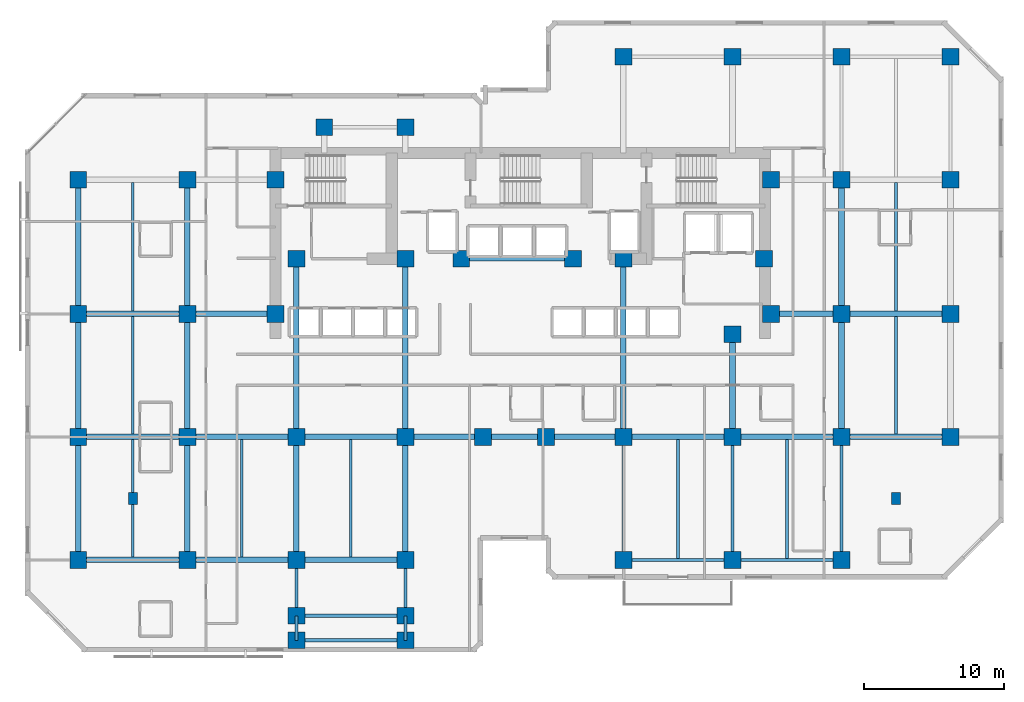
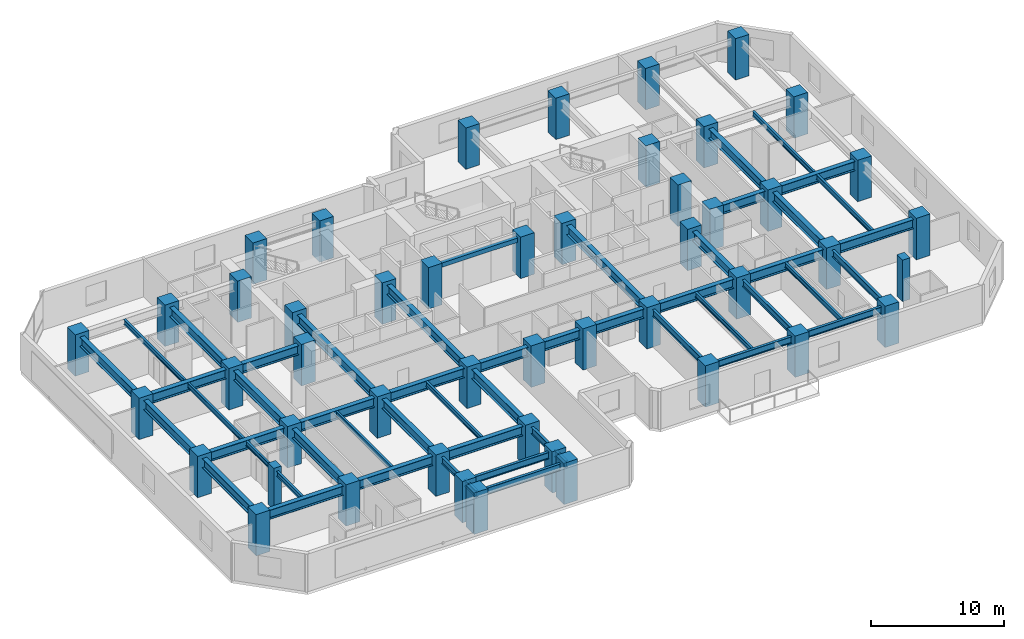
# One storey, part 1 of 11: 51 beams, 48 columns.
"""IFC4 building model written with IfcOpenShell, lengths in metres."""

from ifc_helpers import new_model, si_unit, direction, frame, origin, origin_2d, place, context, subcontext, project, spatial, rectangle, i_section, extrude, material, material_profile, profile_set, type_object, element, save


model = new_model("IFC4")

# Units and contexts
model_context = context("Model", 3, precision=1e-05, world=origin(), true_north=direction((0.0, 1.0)))
body_context = subcontext(model_context, "Body", "Model", "MODEL_VIEW")
ifc_project = project(units=[si_unit("LENGTHUNIT", "METRE"), si_unit("AREAUNIT", "SQUARE_METRE"), si_unit("VOLUMEUNIT", "CUBIC_METRE"), si_unit("PLANEANGLEUNIT", "RADIAN"), si_unit("MASSUNIT", "GRAM", prefix="KILO")], contexts=[model_context])

# Site, building, storey
site_placement = place(None, origin())
site = spatial("IfcSite", under=ifc_project, at=site_placement, CompositionType="ELEMENT")
building_placement = place(site_placement, origin())
building = spatial("IfcBuilding", under=site, at=building_placement, Name="Kestravale Grand Hotel", CompositionType="ELEMENT")
storey_placement = place(building_placement, frame((0.0, 0.0, 126.0)))
storey = spatial("IfcBuildingStorey", under=building, at=storey_placement, Name="L31", CompositionType="ELEMENT", Elevation=126.0)

# Columns
ifc_material_1 = material(Name="Precast concrete f'c 45 MPa", Category="concrete")
ifc_material_profile_1 = material_profile(ifc_material_1, rectangle(XDim=0.64990234375, YDim=0.85009765625, at=origin_2d()))
ifc_profile_set_1 = profile_set([ifc_material_profile_1], Name="Precast concrete f'c 45 MPa")
column_type_1 = type_object("IfcColumnType", Name="C-Z1-PIL850", PredefinedType="PILASTER", material=ifc_profile_set_1)
for number, where, z_axis, x_axis, name in (
    (1, (11.699951171875, 15.60009765625, 0.0), (0.0, 0.0, 1.0), (1.0, 0.0, 0.0), "L31 Art Deco fluted pilaster P1"),
    (2, (66.300048828125, 15.60009765625, 0.0), (0.0, 0.0, 1.0), (1.0, 0.0, 0.0), "L31 Art Deco fluted pilaster P2"),
):
    element("IfcColumn", number, at=place(storey_placement, frame(where, z_axis=z_axis, x_axis=x_axis)), inside=storey, type_object=column_type_1, Name=name, PredefinedType="PILASTER", context=body_context, shape_type="SweptSolid", body=[
        extrude(rectangle(XDim=0.64990234375, YDim=0.85009765625, at=origin_2d()), origin(), (0.0, 0.0, 1.0), 3.800048828125),
    ])
ifc_material_2 = material(Name="Concrete f'c 60 MPa", Category="concrete")
ifc_material_profile_2 = material_profile(ifc_material_2, rectangle(XDim=1.199951171875, YDim=1.199951171875, at=origin_2d()))
ifc_profile_set_2 = profile_set([ifc_material_profile_2], Name="Concrete f'c 60 MPa")
column_type_2 = type_object("IfcColumnType", Name="C-Z2-1200", PredefinedType="COLUMN", material=ifc_profile_set_2)
for number, where, z_axis, x_axis, name in (
    (3, (7.800048828125, 11.199951171875, 0.0), (0.0, 0.0, 1.0), (1.0, 0.0, 0.0), "L31 column 2-C"),
    (4, (7.800048828125, 20.0, 0.0), (0.0, 0.0, 1.0), (1.0, 0.0, 0.0), "L31 column 2-D"),
    (5, (7.800048828125, 28.800048828125, 0.0), (0.0, 0.0, 1.0), (1.0, 0.0, 0.0), "L31 column 2-E"),
    (6, (7.800048828125, 38.39990234375, 0.0), (0.0, 0.0, 1.0), (1.0, 0.0, 0.0), "L31 column 2-F"),
    (7, (15.60009765625, 11.199951171875, 0.0), (0.0, 0.0, 1.0), (1.0, 0.0, 0.0), "L31 column 3-C"),
    (8, (15.60009765625, 20.0, 0.0), (0.0, 0.0, 1.0), (1.0, 0.0, 0.0), "L31 column 3-D"),
    (9, (15.60009765625, 28.800048828125, 0.0), (0.0, 0.0, 1.0), (1.0, 0.0, 0.0), "L31 column 3-E"),
    (10, (15.60009765625, 38.39990234375, 0.0), (0.0, 0.0, 1.0), (1.0, 0.0, 0.0), "L31 column 3-F"),
    (11, (23.39990234375, 11.199951171875, 0.0), (0.0, 0.0, 1.0), (1.0, 0.0, 0.0), "L31 column 4-C"),
    (12, (23.39990234375, 20.0, 0.0), (0.0, 0.0, 1.0), (1.0, 0.0, 0.0), "L31 column 4-D"),
    (13, (31.199951171875, 11.199951171875, 0.0), (0.0, 0.0, 1.0), (1.0, 0.0, 0.0), "L31 column 5-C"),
    (14, (31.199951171875, 20.0, 0.0), (0.0, 0.0, 1.0), (1.0, 0.0, 0.0), "L31 column 5-D"),
    (15, (36.75, 20.0, 0.0), (0.0, 0.0, 1.0), (1.0, 0.0, 0.0), "L31 column 6-D"),
    (16, (41.25, 20.0, 0.0), (0.0, 0.0, 1.0), (1.0, 0.0, 0.0), "L31 column 7-D"),
    (17, (46.800048828125, 11.199951171875, 0.0), (0.0, 0.0, 1.0), (1.0, 0.0, 0.0), "L31 column 8-C"),
    (18, (46.800048828125, 20.0, 0.0), (0.0, 0.0, 1.0), (1.0, 0.0, 0.0), "L31 column 8-D"),
    (19, (46.800048828125, 47.199951171875, 0.0), (0.0, 0.0, 1.0), (1.0, 0.0, 0.0), "L31 column 8-G"),
    (20, (54.60009765625, 11.199951171875, 0.0), (0.0, 0.0, 1.0), (1.0, 0.0, 0.0), "L31 column 9-C"),
    (21, (54.60009765625, 20.0, 0.0), (0.0, 0.0, 1.0), (1.0, 0.0, 0.0), "L31 column 9-D"),
    (22, (54.60009765625, 47.199951171875, 0.0), (0.0, 0.0, 1.0), (1.0, 0.0, 0.0), "L31 column 9-G"),
    (23, (62.39990234375, 11.199951171875, 0.0), (0.0, 0.0, 1.0), (1.0, 0.0, 0.0), "L31 column 10-C"),
    (24, (62.39990234375, 20.0, 0.0), (0.0, 0.0, 1.0), (1.0, 0.0, 0.0), "L31 column 10-D"),
    (25, (62.39990234375, 28.800048828125, 0.0), (0.0, 0.0, 1.0), (1.0, 0.0, 0.0), "L31 column 10-E"),
    (26, (62.39990234375, 38.39990234375, 0.0), (0.0, 0.0, 1.0), (1.0, 0.0, 0.0), "L31 column 10-F"),
    (27, (62.39990234375, 47.199951171875, 0.0), (0.0, 0.0, 1.0), (1.0, 0.0, 0.0), "L31 column 10-G"),
    (28, (70.199951171875, 20.0, 0.0), (0.0, 0.0, 1.0), (1.0, 0.0, 0.0), "L31 column 11-D"),
    (29, (70.199951171875, 28.800048828125, 0.0), (0.0, 0.0, 1.0), (1.0, 0.0, 0.0), "L31 column 11-E"),
    (30, (70.199951171875, 38.39990234375, 0.0), (0.0, 0.0, 1.0), (1.0, 0.0, 0.0), "L31 column 11-F"),
    (31, (70.199951171875, 47.199951171875, 0.0), (0.0, 0.0, 1.0), (1.0, 0.0, 0.0), "L31 column 11-G"),
    (32, (21.89990234375, 28.800048828125, 0.0), (0.0, 0.0, 1.0), (1.0, 0.0, 0.0), "L31 column CW-E"),
    (33, (21.89990234375, 38.39990234375, 0.0), (0.0, 0.0, 1.0), (1.0, 0.0, 0.0), "L31 column CW-F"),
    (34, (57.35009765625, 28.800048828125, 0.0), (0.0, 0.0, 1.0), (1.0, 0.0, 0.0), "L31 column CE-E"),
    (35, (57.35009765625, 38.39990234375, 0.0), (0.0, 0.0, 1.0), (1.0, 0.0, 0.0), "L31 column CE-F"),
    (36, (23.39990234375, 32.75, 0.0), (0.0, 0.0, 1.0), (1.0, 0.0, 0.0), "L31 column 4-CS"),
    (37, (31.199951171875, 32.75, 0.0), (0.0, 0.0, 1.0), (1.0, 0.0, 0.0), "L31 column 5-CS"),
    (38, (35.199951171875, 32.75, 0.0), (0.0, 0.0, 1.0), (1.0, 0.0, 0.0), "L31 column 6C-CS"),
    (39, (43.199951171875, 32.75, 0.0), (0.0, 0.0, 1.0), (1.0, 0.0, 0.0), "L31 column 7C-CS"),
    (40, (46.800048828125, 32.75, 0.0), (0.0, 0.0, 1.0), (1.0, 0.0, 0.0), "L31 column 8-CS"),
    (41, (54.60009765625, 27.35009765625, 0.0), (0.0, 0.0, 1.0), (1.0, 0.0, 0.0), "L31 column 9-CS"),
    (42, (56.85009765625, 32.75, 0.0), (0.0, 0.0, 1.0), (1.0, 0.0, 0.0), "L31 column 9C-CS"),
    (43, (23.39990234375, 7.199951171875, 0.0), (0.0, 0.0, 1.0), (1.0, 0.0, 0.0), "L31 column 4-BS"),
    (44, (31.199951171875, 7.199951171875, 0.0), (0.0, 0.0, 1.0), (1.0, 0.0, 0.0), "L31 column 5-BS"),
    (45, (25.39990234375, 42.14990234375, 0.0), (0.0, 0.0, 1.0), (1.0, 0.0, 0.0), "L31 column 4-FN"),
    (46, (31.199951171875, 42.14990234375, 0.0), (0.0, 0.0, 1.0), (1.0, 0.0, 0.0), "L31 column 5-FN"),
    (47, (23.39990234375, 5.449951171875, 0.0), (0.0, 0.0, 1.0), (1.0, 0.0, 0.0), "L31 column 4-B1S"),
    (48, (31.199951171875, 5.449951171875, 0.0), (0.0, 0.0, 1.0), (1.0, 0.0, 0.0), "L31 column 5-B1S"),
):
    element("IfcColumn", number, at=place(storey_placement, frame(where, z_axis=z_axis, x_axis=x_axis)), inside=storey, type_object=column_type_2, Name=name, PredefinedType="COLUMN", context=body_context, shape_type="SweptSolid", body=[
        extrude(rectangle(XDim=1.199951171875, YDim=1.199951171875, at=origin_2d()), origin(), (0.0, 0.0, 1.0), 3.800048828125),
    ])

# Beams
ifc_material_3 = material(Name="Steel ASTM A992 Grade 50", Category="steel")
ifc_material_profile_3 = material_profile(ifc_material_3, i_section(OverallWidth=0.19091796875, OverallDepth=0.45703125, WebThickness=0.009033203125, FlangeThickness=0.014404296875, FilletRadius=0.015380859375, at=origin_2d()))
ifc_profile_set_3 = profile_set([ifc_material_profile_3], Name="Steel ASTM A992 Grade 50")
beam_type_1 = type_object("IfcBeamType", Name="B-FLR-JST18", PredefinedType="JOIST", material=ifc_profile_set_3)
for number, where, z_axis, x_axis, name in (
    (49, (11.699951171875, 11.400390625, 3.2314453125), (0.0, 1.0, 0.0), (-1.0, 0.0, 0.0), "L31 floor joist 2-3/C-D #1"),
    (50, (11.699951171875, 20.200439453125, 3.2314453125), (0.0, 1.0, 0.0), (-1.0, 0.0, 0.0), "L31 floor joist 2-3/D-E #1"),
):
    element("IfcBeam", number, at=place(storey_placement, frame(where, z_axis=z_axis, x_axis=x_axis)), inside=storey, type_object=beam_type_1, Name=name, PredefinedType="JOIST", context=body_context, shape_type="SweptSolid", body=[
        extrude(i_section(OverallWidth=0.19091796875, OverallDepth=0.45703125, WebThickness=0.009033203125, FlangeThickness=0.014404296875, FilletRadius=0.015380859375, at=origin_2d()), origin(), (0.0, 0.0, 1.0), 8.399169921875),
    ])
beam_1_placement = place(storey_placement, frame((11.699951171875, 29.00048828125, 3.2314453125), z_axis=(0.0, 1.0, 0.0), x_axis=(-1.0, 0.0, 0.0)))
element("IfcBeam", 51, at=beam_1_placement, inside=storey, type_object=beam_type_1, Name="L31 floor joist 2-3/E-F #1", PredefinedType="JOIST", context=body_context, shape_type="SweptSolid", body=[
    extrude(i_section(OverallWidth=0.19091796875, OverallDepth=0.45703125, WebThickness=0.009033203125, FlangeThickness=0.014404296875, FilletRadius=0.015380859375, at=origin_2d()), origin(), (0.0, 0.0, 1.0), 9.198974609375),
])
for number, where, z_axis, x_axis, name in (
    (52, (19.5, 11.400390625, 3.2314453125), (0.0, 1.0, 0.0), (-1.0, 0.0, 0.0), "L31 floor joist 3-4/C-D #1"),
    (53, (27.300048828125, 11.400390625, 3.2314453125), (0.0, 1.0, 0.0), (-1.0, 0.0, 0.0), "L31 floor joist 4-5/C-D #1"),
):
    element("IfcBeam", number, at=place(storey_placement, frame(where, z_axis=z_axis, x_axis=x_axis)), inside=storey, type_object=beam_type_1, Name=name, PredefinedType="JOIST", context=body_context, shape_type="SweptSolid", body=[
        extrude(i_section(OverallWidth=0.19091796875, OverallDepth=0.45703125, WebThickness=0.009033203125, FlangeThickness=0.014404296875, FilletRadius=0.015380859375, at=origin_2d()), origin(), (0.0, 0.0, 1.0), 8.399169921875),
    ])
for number, where, z_axis, x_axis, name in (
    (54, (50.699951171875, 11.314453125, 3.2314453125), (0.0, 1.0, 0.0), (-1.0, 0.0, 0.0), "L31 floor joist 8-9/C-D #1"),
    (55, (58.5, 11.314453125, 3.2314453125), (0.0, 1.0, 0.0), (-1.0, 0.0, 0.0), "L31 floor joist 9-10/C-D #1"),
):
    element("IfcBeam", number, at=place(storey_placement, frame(where, z_axis=z_axis, x_axis=x_axis)), inside=storey, type_object=beam_type_1, Name=name, PredefinedType="JOIST", context=body_context, shape_type="SweptSolid", body=[
        extrude(i_section(OverallWidth=0.19091796875, OverallDepth=0.45703125, WebThickness=0.009033203125, FlangeThickness=0.014404296875, FilletRadius=0.015380859375, at=origin_2d()), origin(), (0.0, 0.0, 1.0), 8.485107421875),
    ])
beam_2_placement = place(storey_placement, frame((66.300048828125, 20.200439453125, 3.2314453125), z_axis=(0.0, 1.0, 0.0), x_axis=(-1.0, 0.0, 0.0)))
element("IfcBeam", 56, at=beam_2_placement, inside=storey, type_object=beam_type_1, Name="L31 floor joist 10-11/D-E #1", PredefinedType="JOIST", context=body_context, shape_type="SweptSolid", body=[
    extrude(i_section(OverallWidth=0.19091796875, OverallDepth=0.45703125, WebThickness=0.009033203125, FlangeThickness=0.014404296875, FilletRadius=0.015380859375, at=origin_2d()), origin(), (0.0, 0.0, 1.0), 8.399169921875),
])
beam_3_placement = place(storey_placement, frame((66.300048828125, 29.00048828125, 3.2314453125), z_axis=(0.0, 1.0, 0.0), x_axis=(-1.0, 0.0, 0.0)))
element("IfcBeam", 57, at=beam_3_placement, inside=storey, type_object=beam_type_1, Name="L31 floor joist 10-11/E-F #1", PredefinedType="JOIST", context=body_context, shape_type="SweptSolid", body=[
    extrude(i_section(OverallWidth=0.19091796875, OverallDepth=0.45703125, WebThickness=0.009033203125, FlangeThickness=0.014404296875, FilletRadius=0.015380859375, at=origin_2d()), origin(), (0.0, 0.0, 1.0), 9.198974609375),
])
ifc_material_4 = material(Name="Concrete f'c 45 MPa", Category="concrete")
ifc_material_profile_4 = material_profile(ifc_material_4, rectangle(XDim=0.300048828125, YDim=0.39990234375, at=origin_2d()))
ifc_profile_set_4 = profile_set([ifc_material_profile_4], Name="Concrete f'c 45 MPa")
beam_type_2 = type_object("IfcBeamType", Name="B-FLR-LNT400", PredefinedType="LINTEL", material=ifc_profile_set_4)
beam_4_placement = place(storey_placement, frame((35.199951171875, 32.75, 3.260009765625), z_axis=(1.0, 0.0, 0.0), x_axis=(0.0, 1.0, 0.0)))
element("IfcBeam", 58, at=beam_4_placement, inside=storey, type_object=beam_type_2, Name="L31 core portal header lintel", PredefinedType="LINTEL", context=body_context, shape_type="SweptSolid", body=[
    extrude(rectangle(XDim=0.300048828125, YDim=0.39990234375, at=origin_2d()), origin(), (0.0, 0.0, 1.0), 8.0),
])
ifc_material_5 = material(Name="Steel ASTM A992 Grade 50", Category="steel")
ifc_material_profile_5 = material_profile(ifc_material_5, i_section(OverallWidth=0.22900390625, OverallDepth=0.612060546875, WebThickness=0.011962890625, FlangeThickness=0.01953125, FilletRadius=0.019287109375, at=origin_2d()))
ifc_profile_set_5 = profile_set([ifc_material_profile_5], Name="Steel ASTM A992 Grade 50")
beam_type_3 = type_object("IfcBeamType", Name="B-FLR-W24B", PredefinedType="SPANDREL", material=ifc_profile_set_5)
beam_5_placement = place(storey_placement, frame((46.800048828125, 11.199951171875, 3.154052734375), z_axis=(1.0, 0.0, 0.0), x_axis=(0.0, 1.0, 0.0)))
element("IfcBeam", 59, at=beam_5_placement, inside=storey, type_object=beam_type_3, Name="L31 spandrel C:8-9", PredefinedType="SPANDREL", context=body_context, shape_type="SweptSolid", body=[
    extrude(i_section(OverallWidth=0.22900390625, OverallDepth=0.612060546875, WebThickness=0.011962890625, FlangeThickness=0.01953125, FilletRadius=0.019287109375, at=origin_2d()), origin(), (0.0, 0.0, 1.0), 7.800048828125),
])
beam_6_placement = place(storey_placement, frame((54.60009765625, 11.199951171875, 3.154052734375), z_axis=(1.0, 0.0, 0.0), x_axis=(0.0, 1.0, 0.0)))
element("IfcBeam", 60, at=beam_6_placement, inside=storey, type_object=beam_type_3, Name="L31 spandrel C:9-10", PredefinedType="SPANDREL", context=body_context, shape_type="SweptSolid", body=[
    extrude(i_section(OverallWidth=0.22900390625, OverallDepth=0.612060546875, WebThickness=0.011962890625, FlangeThickness=0.01953125, FilletRadius=0.019287109375, at=origin_2d()), origin(), (0.0, 0.0, 1.0), 7.7998046875),
])
for number, where, z_axis, x_axis, name in (
    (61, (23.39990234375, 5.449951171875, 3.154052734375), (1.0, 0.0, 0.0), (0.0, 1.0, 0.0), "L31 perimeter tie spandrel B1S:4-5"),
    (62, (23.39990234375, 7.199951171875, 3.154052734375), (1.0, 0.0, 0.0), (0.0, 1.0, 0.0), "L31 perimeter tie spandrel BS:4-5"),
):
    element("IfcBeam", number, at=place(storey_placement, frame(where, z_axis=z_axis, x_axis=x_axis)), inside=storey, type_object=beam_type_3, Name=name, PredefinedType="SPANDREL", context=body_context, shape_type="SweptSolid", body=[
        extrude(i_section(OverallWidth=0.22900390625, OverallDepth=0.612060546875, WebThickness=0.011962890625, FlangeThickness=0.01953125, FilletRadius=0.019287109375, at=origin_2d()), origin(), (0.0, 0.0, 1.0), 7.800048828125),
    ])
beam_7_placement = place(storey_placement, frame((23.39990234375, 5.449951171875, 3.154052734375), z_axis=(0.0, 1.0, 0.0), x_axis=(-1.0, 0.0, 0.0)))
element("IfcBeam", 63, at=beam_7_placement, inside=storey, type_object=beam_type_3, Name="L31 spandrel 4:B1S-BS", PredefinedType="SPANDREL", context=body_context, shape_type="SweptSolid", body=[
    extrude(i_section(OverallWidth=0.22900390625, OverallDepth=0.612060546875, WebThickness=0.011962890625, FlangeThickness=0.01953125, FilletRadius=0.019287109375, at=origin_2d()), origin(), (0.0, 0.0, 1.0), 1.75),
])
beam_8_placement = place(storey_placement, frame((23.39990234375, 7.199951171875, 3.154052734375), z_axis=(0.0, 1.0, 0.0), x_axis=(-1.0, 0.0, 0.0)))
element("IfcBeam", 64, at=beam_8_placement, inside=storey, type_object=beam_type_3, Name="L31 spandrel 4:BS-C", PredefinedType="SPANDREL", context=body_context, shape_type="SweptSolid", body=[
    extrude(i_section(OverallWidth=0.22900390625, OverallDepth=0.612060546875, WebThickness=0.011962890625, FlangeThickness=0.01953125, FilletRadius=0.019287109375, at=origin_2d()), origin(), (0.0, 0.0, 1.0), 4.0),
])
beam_9_placement = place(storey_placement, frame((31.199951171875, 5.449951171875, 3.154052734375), z_axis=(0.0, 1.0, 0.0), x_axis=(-1.0, 0.0, 0.0)))
element("IfcBeam", 65, at=beam_9_placement, inside=storey, type_object=beam_type_3, Name="L31 spandrel 5:B1S-BS", PredefinedType="SPANDREL", context=body_context, shape_type="SweptSolid", body=[
    extrude(i_section(OverallWidth=0.22900390625, OverallDepth=0.612060546875, WebThickness=0.011962890625, FlangeThickness=0.01953125, FilletRadius=0.019287109375, at=origin_2d()), origin(), (0.0, 0.0, 1.0), 1.75),
])
beam_10_placement = place(storey_placement, frame((31.199951171875, 7.199951171875, 3.154052734375), z_axis=(0.0, 1.0, 0.0), x_axis=(-1.0, 0.0, 0.0)))
element("IfcBeam", 66, at=beam_10_placement, inside=storey, type_object=beam_type_3, Name="L31 spandrel 5:BS-C", PredefinedType="SPANDREL", context=body_context, shape_type="SweptSolid", body=[
    extrude(i_section(OverallWidth=0.22900390625, OverallDepth=0.612060546875, WebThickness=0.011962890625, FlangeThickness=0.01953125, FilletRadius=0.019287109375, at=origin_2d()), origin(), (0.0, 0.0, 1.0), 4.0),
])
for number, where, z_axis, x_axis, name in (
    (67, (46.800048828125, 11.199951171875, 3.154052734375), (0.0, 1.0, 0.0), (-1.0, 0.0, 0.0), "L31 spandrel 8:C-D"),
    (68, (54.60009765625, 11.199951171875, 3.154052734375), (0.0, 1.0, 0.0), (-1.0, 0.0, 0.0), "L31 spandrel 9:C-D"),
    (69, (62.39990234375, 11.199951171875, 3.154052734375), (0.0, 1.0, 0.0), (-1.0, 0.0, 0.0), "L31 spandrel 10:C-D"),
):
    element("IfcBeam", number, at=place(storey_placement, frame(where, z_axis=z_axis, x_axis=x_axis)), inside=storey, type_object=beam_type_3, Name=name, PredefinedType="SPANDREL", context=body_context, shape_type="SweptSolid", body=[
        extrude(i_section(OverallWidth=0.22900390625, OverallDepth=0.612060546875, WebThickness=0.011962890625, FlangeThickness=0.01953125, FilletRadius=0.019287109375, at=origin_2d()), origin(), (0.0, 0.0, 1.0), 8.800048828125),
    ])
ifc_material_6 = material(Name="Steel ASTM A992 Grade 50", Category="steel")
ifc_material_profile_6 = material_profile(ifc_material_6, i_section(OverallWidth=0.40087890625, OverallDepth=0.861083984375, WebThickness=0.019775390625, FlangeThickness=0.032470703125, FilletRadius=0.0234375, at=origin_2d()))
ifc_profile_set_6 = profile_set([ifc_material_profile_6], Name="Steel ASTM A992 Grade 50")
beam_type_4 = type_object("IfcBeamType", Name="B-GRD-W33", PredefinedType="BEAM", material=ifc_profile_set_6)
beam_11_placement = place(storey_placement, frame((7.800048828125, 11.199951171875, 3.029541015625), z_axis=(1.0, 0.0, 0.0), x_axis=(0.0, 1.0, 0.0)))
element("IfcBeam", 70, at=beam_11_placement, inside=storey, type_object=beam_type_4, Name="L31 girder C:2-3", PredefinedType="BEAM", context=body_context, shape_type="SweptSolid", body=[
    extrude(i_section(OverallWidth=0.40087890625, OverallDepth=0.861083984375, WebThickness=0.019775390625, FlangeThickness=0.032470703125, FilletRadius=0.0234375, at=origin_2d()), origin(), (0.0, 0.0, 1.0), 7.800048828125),
])
beam_12_placement = place(storey_placement, frame((15.60009765625, 11.199951171875, 3.029541015625), z_axis=(1.0, 0.0, 0.0), x_axis=(0.0, 1.0, 0.0)))
element("IfcBeam", 71, at=beam_12_placement, inside=storey, type_object=beam_type_4, Name="L31 girder C:3-4", PredefinedType="BEAM", context=body_context, shape_type="SweptSolid", body=[
    extrude(i_section(OverallWidth=0.40087890625, OverallDepth=0.861083984375, WebThickness=0.019775390625, FlangeThickness=0.032470703125, FilletRadius=0.0234375, at=origin_2d()), origin(), (0.0, 0.0, 1.0), 7.7998046875),
])
for number, where, z_axis, x_axis, name in (
    (72, (23.39990234375, 11.199951171875, 3.029541015625), (1.0, 0.0, 0.0), (0.0, 1.0, 0.0), "L31 girder C:4-5"),
    (73, (7.800048828125, 20.0, 3.029541015625), (1.0, 0.0, 0.0), (0.0, 1.0, 0.0), "L31 girder D:2-3"),
):
    element("IfcBeam", number, at=place(storey_placement, frame(where, z_axis=z_axis, x_axis=x_axis)), inside=storey, type_object=beam_type_4, Name=name, PredefinedType="BEAM", context=body_context, shape_type="SweptSolid", body=[
        extrude(i_section(OverallWidth=0.40087890625, OverallDepth=0.861083984375, WebThickness=0.019775390625, FlangeThickness=0.032470703125, FilletRadius=0.0234375, at=origin_2d()), origin(), (0.0, 0.0, 1.0), 7.800048828125),
    ])
beam_13_placement = place(storey_placement, frame((15.60009765625, 20.0, 3.029541015625), z_axis=(1.0, 0.0, 0.0), x_axis=(0.0, 1.0, 0.0)))
element("IfcBeam", 74, at=beam_13_placement, inside=storey, type_object=beam_type_4, Name="L31 girder D:3-4", PredefinedType="BEAM", context=body_context, shape_type="SweptSolid", body=[
    extrude(i_section(OverallWidth=0.40087890625, OverallDepth=0.861083984375, WebThickness=0.019775390625, FlangeThickness=0.032470703125, FilletRadius=0.0234375, at=origin_2d()), origin(), (0.0, 0.0, 1.0), 7.7998046875),
])
beam_14_placement = place(storey_placement, frame((23.39990234375, 20.0, 3.029541015625), z_axis=(1.0, 0.0, 0.0), x_axis=(0.0, 1.0, 0.0)))
element("IfcBeam", 75, at=beam_14_placement, inside=storey, type_object=beam_type_4, Name="L31 girder D:4-5", PredefinedType="BEAM", context=body_context, shape_type="SweptSolid", body=[
    extrude(i_section(OverallWidth=0.40087890625, OverallDepth=0.861083984375, WebThickness=0.019775390625, FlangeThickness=0.032470703125, FilletRadius=0.0234375, at=origin_2d()), origin(), (0.0, 0.0, 1.0), 7.800048828125),
])
beam_15_placement = place(storey_placement, frame((31.199951171875, 20.0, 3.029541015625), z_axis=(1.0, 0.0, 0.0), x_axis=(0.0, 1.0, 0.0)))
element("IfcBeam", 76, at=beam_15_placement, inside=storey, type_object=beam_type_4, Name="L31 girder D:5-6", PredefinedType="BEAM", context=body_context, shape_type="SweptSolid", body=[
    extrude(i_section(OverallWidth=0.40087890625, OverallDepth=0.861083984375, WebThickness=0.019775390625, FlangeThickness=0.032470703125, FilletRadius=0.0234375, at=origin_2d()), origin(), (0.0, 0.0, 1.0), 5.550048828125),
])
beam_16_placement = place(storey_placement, frame((36.75, 20.0, 3.029541015625), z_axis=(1.0, 0.0, 0.0), x_axis=(0.0, 1.0, 0.0)))
element("IfcBeam", 77, at=beam_16_placement, inside=storey, type_object=beam_type_4, Name="L31 girder D:6-7", PredefinedType="BEAM", context=body_context, shape_type="SweptSolid", body=[
    extrude(i_section(OverallWidth=0.40087890625, OverallDepth=0.861083984375, WebThickness=0.019775390625, FlangeThickness=0.032470703125, FilletRadius=0.0234375, at=origin_2d()), origin(), (0.0, 0.0, 1.0), 4.5),
])
beam_17_placement = place(storey_placement, frame((41.25, 20.0, 3.029541015625), z_axis=(1.0, 0.0, 0.0), x_axis=(0.0, 1.0, 0.0)))
element("IfcBeam", 78, at=beam_17_placement, inside=storey, type_object=beam_type_4, Name="L31 girder D:7-8", PredefinedType="BEAM", context=body_context, shape_type="SweptSolid", body=[
    extrude(i_section(OverallWidth=0.40087890625, OverallDepth=0.861083984375, WebThickness=0.019775390625, FlangeThickness=0.032470703125, FilletRadius=0.0234375, at=origin_2d()), origin(), (0.0, 0.0, 1.0), 5.550048828125),
])
beam_18_placement = place(storey_placement, frame((46.800048828125, 20.0, 3.029541015625), z_axis=(1.0, 0.0, 0.0), x_axis=(0.0, 1.0, 0.0)))
element("IfcBeam", 79, at=beam_18_placement, inside=storey, type_object=beam_type_4, Name="L31 girder D:8-9", PredefinedType="BEAM", context=body_context, shape_type="SweptSolid", body=[
    extrude(i_section(OverallWidth=0.40087890625, OverallDepth=0.861083984375, WebThickness=0.019775390625, FlangeThickness=0.032470703125, FilletRadius=0.0234375, at=origin_2d()), origin(), (0.0, 0.0, 1.0), 7.800048828125),
])
beam_19_placement = place(storey_placement, frame((54.60009765625, 20.0, 3.029541015625), z_axis=(1.0, 0.0, 0.0), x_axis=(0.0, 1.0, 0.0)))
element("IfcBeam", 80, at=beam_19_placement, inside=storey, type_object=beam_type_4, Name="L31 girder D:9-10", PredefinedType="BEAM", context=body_context, shape_type="SweptSolid", body=[
    extrude(i_section(OverallWidth=0.40087890625, OverallDepth=0.861083984375, WebThickness=0.019775390625, FlangeThickness=0.032470703125, FilletRadius=0.0234375, at=origin_2d()), origin(), (0.0, 0.0, 1.0), 7.7998046875),
])
for number, where, z_axis, x_axis, name in (
    (81, (62.39990234375, 20.0, 3.029541015625), (1.0, 0.0, 0.0), (0.0, 1.0, 0.0), "L31 girder D:10-11"),
    (82, (7.800048828125, 28.800048828125, 3.029541015625), (1.0, 0.0, 0.0), (0.0, 1.0, 0.0), "L31 girder E:2-3"),
):
    element("IfcBeam", number, at=place(storey_placement, frame(where, z_axis=z_axis, x_axis=x_axis)), inside=storey, type_object=beam_type_4, Name=name, PredefinedType="BEAM", context=body_context, shape_type="SweptSolid", body=[
        extrude(i_section(OverallWidth=0.40087890625, OverallDepth=0.861083984375, WebThickness=0.019775390625, FlangeThickness=0.032470703125, FilletRadius=0.0234375, at=origin_2d()), origin(), (0.0, 0.0, 1.0), 7.800048828125),
    ])
beam_20_placement = place(storey_placement, frame((15.60009765625, 28.800048828125, 3.029541015625), z_axis=(1.0, 0.0, 0.0), x_axis=(0.0, 1.0, 0.0)))
element("IfcBeam", 83, at=beam_20_placement, inside=storey, type_object=beam_type_4, Name="L31 girder E:3-CW", PredefinedType="BEAM", context=body_context, shape_type="SweptSolid", body=[
    extrude(i_section(OverallWidth=0.40087890625, OverallDepth=0.861083984375, WebThickness=0.019775390625, FlangeThickness=0.032470703125, FilletRadius=0.0234375, at=origin_2d()), origin(), (0.0, 0.0, 1.0), 6.2998046875),
])
beam_21_placement = place(storey_placement, frame((57.35009765625, 28.800048828125, 3.029541015625), z_axis=(1.0, 0.0, 0.0), x_axis=(0.0, 1.0, 0.0)))
element("IfcBeam", 84, at=beam_21_placement, inside=storey, type_object=beam_type_4, Name="L31 girder E:CE-10", PredefinedType="BEAM", context=body_context, shape_type="SweptSolid", body=[
    extrude(i_section(OverallWidth=0.40087890625, OverallDepth=0.861083984375, WebThickness=0.019775390625, FlangeThickness=0.032470703125, FilletRadius=0.0234375, at=origin_2d()), origin(), (0.0, 0.0, 1.0), 5.0498046875),
])
beam_22_placement = place(storey_placement, frame((62.39990234375, 28.800048828125, 3.029541015625), z_axis=(1.0, 0.0, 0.0), x_axis=(0.0, 1.0, 0.0)))
element("IfcBeam", 85, at=beam_22_placement, inside=storey, type_object=beam_type_4, Name="L31 girder E:10-11", PredefinedType="BEAM", context=body_context, shape_type="SweptSolid", body=[
    extrude(i_section(OverallWidth=0.40087890625, OverallDepth=0.861083984375, WebThickness=0.019775390625, FlangeThickness=0.032470703125, FilletRadius=0.0234375, at=origin_2d()), origin(), (0.0, 0.0, 1.0), 7.800048828125),
])
for number, where, z_axis, x_axis, name in (
    (86, (7.800048828125, 11.199951171875, 3.029541015625), (0.0, 1.0, 0.0), (-1.0, 0.0, 0.0), "L31 girder 2:C-D"),
    (87, (7.800048828125, 20.0, 3.029541015625), (0.0, 1.0, 0.0), (-1.0, 0.0, 0.0), "L31 girder 2:D-E"),
):
    element("IfcBeam", number, at=place(storey_placement, frame(where, z_axis=z_axis, x_axis=x_axis)), inside=storey, type_object=beam_type_4, Name=name, PredefinedType="BEAM", context=body_context, shape_type="SweptSolid", body=[
        extrude(i_section(OverallWidth=0.40087890625, OverallDepth=0.861083984375, WebThickness=0.019775390625, FlangeThickness=0.032470703125, FilletRadius=0.0234375, at=origin_2d()), origin(), (0.0, 0.0, 1.0), 8.800048828125),
    ])
beam_23_placement = place(storey_placement, frame((7.800048828125, 28.800048828125, 3.029541015625), z_axis=(0.0, 1.0, 0.0), x_axis=(-1.0, 0.0, 0.0)))
element("IfcBeam", 88, at=beam_23_placement, inside=storey, type_object=beam_type_4, Name="L31 girder 2:E-F", PredefinedType="BEAM", context=body_context, shape_type="SweptSolid", body=[
    extrude(i_section(OverallWidth=0.40087890625, OverallDepth=0.861083984375, WebThickness=0.019775390625, FlangeThickness=0.032470703125, FilletRadius=0.0234375, at=origin_2d()), origin(), (0.0, 0.0, 1.0), 9.599853515625),
])
for number, where, z_axis, x_axis, name in (
    (89, (15.60009765625, 11.199951171875, 3.029541015625), (0.0, 1.0, 0.0), (-1.0, 0.0, 0.0), "L31 girder 3:C-D"),
    (90, (15.60009765625, 20.0, 3.029541015625), (0.0, 1.0, 0.0), (-1.0, 0.0, 0.0), "L31 girder 3:D-E"),
):
    element("IfcBeam", number, at=place(storey_placement, frame(where, z_axis=z_axis, x_axis=x_axis)), inside=storey, type_object=beam_type_4, Name=name, PredefinedType="BEAM", context=body_context, shape_type="SweptSolid", body=[
        extrude(i_section(OverallWidth=0.40087890625, OverallDepth=0.861083984375, WebThickness=0.019775390625, FlangeThickness=0.032470703125, FilletRadius=0.0234375, at=origin_2d()), origin(), (0.0, 0.0, 1.0), 8.800048828125),
    ])
beam_24_placement = place(storey_placement, frame((15.60009765625, 28.800048828125, 3.029541015625), z_axis=(0.0, 1.0, 0.0), x_axis=(-1.0, 0.0, 0.0)))
element("IfcBeam", 91, at=beam_24_placement, inside=storey, type_object=beam_type_4, Name="L31 girder 3:E-F", PredefinedType="BEAM", context=body_context, shape_type="SweptSolid", body=[
    extrude(i_section(OverallWidth=0.40087890625, OverallDepth=0.861083984375, WebThickness=0.019775390625, FlangeThickness=0.032470703125, FilletRadius=0.0234375, at=origin_2d()), origin(), (0.0, 0.0, 1.0), 9.599853515625),
])
beam_25_placement = place(storey_placement, frame((23.39990234375, 11.199951171875, 3.029541015625), z_axis=(0.0, 1.0, 0.0), x_axis=(-1.0, 0.0, 0.0)))
element("IfcBeam", 92, at=beam_25_placement, inside=storey, type_object=beam_type_4, Name="L31 girder 4:C-D", PredefinedType="BEAM", context=body_context, shape_type="SweptSolid", body=[
    extrude(i_section(OverallWidth=0.40087890625, OverallDepth=0.861083984375, WebThickness=0.019775390625, FlangeThickness=0.032470703125, FilletRadius=0.0234375, at=origin_2d()), origin(), (0.0, 0.0, 1.0), 8.800048828125),
])
beam_26_placement = place(storey_placement, frame((23.39990234375, 20.0, 3.029541015625), z_axis=(0.0, 1.0, 0.0), x_axis=(-1.0, 0.0, 0.0)))
element("IfcBeam", 93, at=beam_26_placement, inside=storey, type_object=beam_type_4, Name="L31 girder 4:D-CS", PredefinedType="BEAM", context=body_context, shape_type="SweptSolid", body=[
    extrude(i_section(OverallWidth=0.40087890625, OverallDepth=0.861083984375, WebThickness=0.019775390625, FlangeThickness=0.032470703125, FilletRadius=0.0234375, at=origin_2d()), origin(), (0.0, 0.0, 1.0), 12.75),
])
beam_27_placement = place(storey_placement, frame((31.199951171875, 11.199951171875, 3.029541015625), z_axis=(0.0, 1.0, 0.0), x_axis=(-1.0, 0.0, 0.0)))
element("IfcBeam", 94, at=beam_27_placement, inside=storey, type_object=beam_type_4, Name="L31 girder 5:C-D", PredefinedType="BEAM", context=body_context, shape_type="SweptSolid", body=[
    extrude(i_section(OverallWidth=0.40087890625, OverallDepth=0.861083984375, WebThickness=0.019775390625, FlangeThickness=0.032470703125, FilletRadius=0.0234375, at=origin_2d()), origin(), (0.0, 0.0, 1.0), 8.800048828125),
])
for number, where, z_axis, x_axis, name in (
    (95, (31.199951171875, 20.0, 3.029541015625), (0.0, 1.0, 0.0), (-1.0, 0.0, 0.0), "L31 girder 5:D-CS"),
    (96, (46.800048828125, 20.0, 3.029541015625), (0.0, 1.0, 0.0), (-1.0, 0.0, 0.0), "L31 girder 8:D-CS"),
):
    element("IfcBeam", number, at=place(storey_placement, frame(where, z_axis=z_axis, x_axis=x_axis)), inside=storey, type_object=beam_type_4, Name=name, PredefinedType="BEAM", context=body_context, shape_type="SweptSolid", body=[
        extrude(i_section(OverallWidth=0.40087890625, OverallDepth=0.861083984375, WebThickness=0.019775390625, FlangeThickness=0.032470703125, FilletRadius=0.0234375, at=origin_2d()), origin(), (0.0, 0.0, 1.0), 12.75),
    ])
beam_28_placement = place(storey_placement, frame((54.60009765625, 20.0, 3.029541015625), z_axis=(0.0, 1.0, 0.0), x_axis=(-1.0, 0.0, 0.0)))
element("IfcBeam", 97, at=beam_28_placement, inside=storey, type_object=beam_type_4, Name="L31 girder 9:D-CS", PredefinedType="BEAM", context=body_context, shape_type="SweptSolid", body=[
    extrude(i_section(OverallWidth=0.40087890625, OverallDepth=0.861083984375, WebThickness=0.019775390625, FlangeThickness=0.032470703125, FilletRadius=0.0234375, at=origin_2d()), origin(), (0.0, 0.0, 1.0), 7.35009765625),
])
beam_29_placement = place(storey_placement, frame((62.39990234375, 20.0, 3.029541015625), z_axis=(0.0, 1.0, 0.0), x_axis=(-1.0, 0.0, 0.0)))
element("IfcBeam", 98, at=beam_29_placement, inside=storey, type_object=beam_type_4, Name="L31 girder 10:D-E", PredefinedType="BEAM", context=body_context, shape_type="SweptSolid", body=[
    extrude(i_section(OverallWidth=0.40087890625, OverallDepth=0.861083984375, WebThickness=0.019775390625, FlangeThickness=0.032470703125, FilletRadius=0.0234375, at=origin_2d()), origin(), (0.0, 0.0, 1.0), 8.800048828125),
])
beam_30_placement = place(storey_placement, frame((62.39990234375, 28.800048828125, 3.029541015625), z_axis=(0.0, 1.0, 0.0), x_axis=(-1.0, 0.0, 0.0)))
element("IfcBeam", 99, at=beam_30_placement, inside=storey, type_object=beam_type_4, Name="L31 girder 10:E-F", PredefinedType="BEAM", context=body_context, shape_type="SweptSolid", body=[
    extrude(i_section(OverallWidth=0.40087890625, OverallDepth=0.861083984375, WebThickness=0.019775390625, FlangeThickness=0.032470703125, FilletRadius=0.0234375, at=origin_2d()), origin(), (0.0, 0.0, 1.0), 9.599853515625),
])

save(model, "model.ifc")
